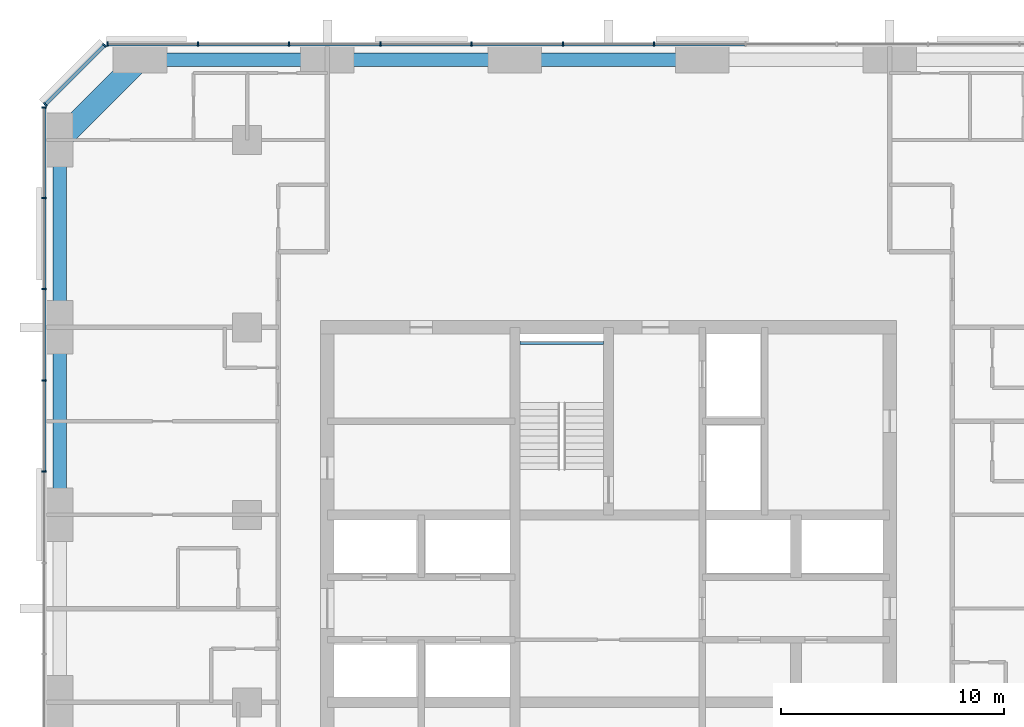
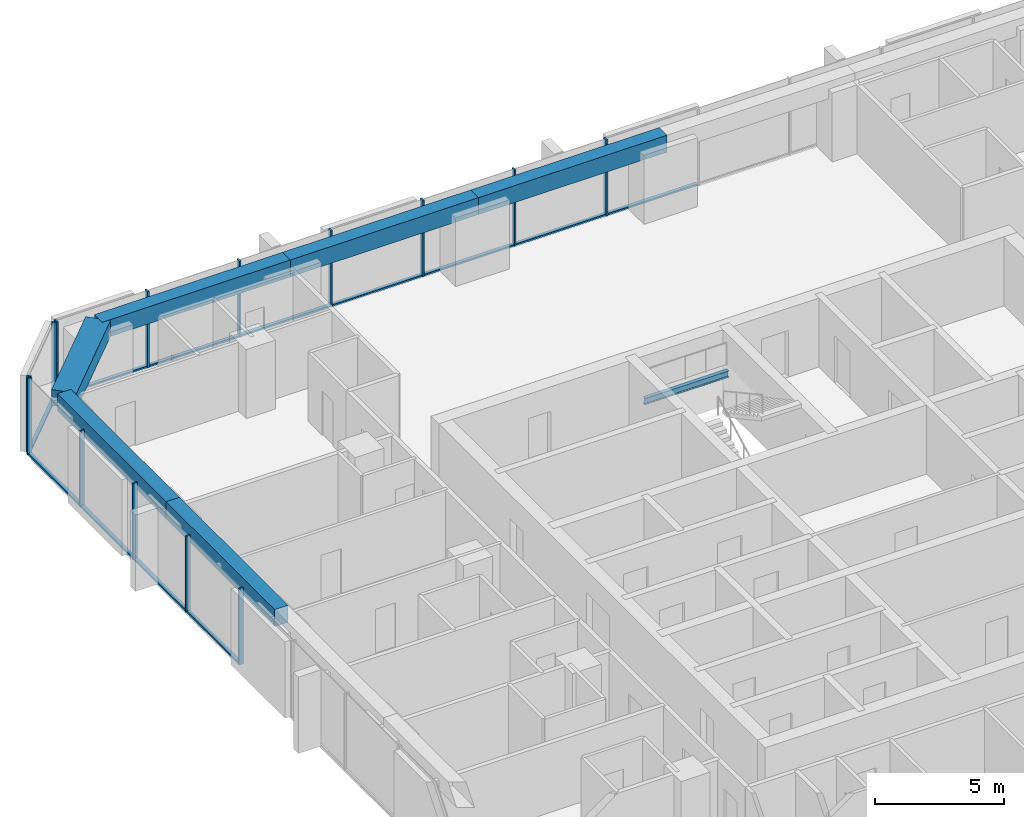
# One storey, part 5 of 13: 26 members, 7 beams, 3 elements without a shape of their own.
"""IFC4 building model written with IfcOpenShell, lengths in metres."""

from ifc_helpers import new_model, si_unit, direction, frame, origin, origin_2d, place, context, subcontext, project, spatial, rectangle, i_section, extrude, material, material_profile, profile_set, type_object, element, aggregate, save


model = new_model("IFC4")

# Units and contexts
model_context = context("Model", 3, precision=1e-05, world=origin(), true_north=direction((0.0, 1.0)))
body_context = subcontext(model_context, "Body", "Model", "MODEL_VIEW")
ifc_project = project(units=[si_unit("LENGTHUNIT", "METRE"), si_unit("AREAUNIT", "SQUARE_METRE"), si_unit("VOLUMEUNIT", "CUBIC_METRE"), si_unit("PLANEANGLEUNIT", "RADIAN"), si_unit("MASSUNIT", "GRAM", prefix="KILO")], contexts=[model_context])

# Site, building, storey
site_placement = place(None, origin())
site = spatial("IfcSite", under=ifc_project, at=site_placement, CompositionType="ELEMENT")
building_placement = place(site_placement, origin())
building = spatial("IfcBuilding", under=site, at=building_placement, Name="Dunama Terrace Hotel", CompositionType="ELEMENT")
storey_placement = place(building_placement, frame((0.0, 0.0, 209.39990234375)))
storey = spatial("IfcBuildingStorey", under=building, at=storey_placement, Name="L54", CompositionType="ELEMENT", Elevation=209.39990234375)

# Curtain wall, members
ifc_material_1 = material(Name="Aluminium curtain wall system", Category="aluminium")
curtain_wall_type = type_object("IfcCurtainWallType", Name="Unitised fritted glass wall CW-C", PredefinedType="NOTDEFINED", material=ifc_material_1)
curtain_wall_1_placement = place(storey_placement, origin())
curtain_wall_1 = element("IfcCurtainWall", 1, at=curtain_wall_1_placement, inside=storey, type_object=curtain_wall_type, Name="Unitised fritted glass wall CW-C L54", PredefinedType="NOTDEFINED")
ifc_material_2 = material(Name="Aluminium mullion", Category="aluminium")
ifc_material_profile_1 = material_profile(ifc_material_2, rectangle(XDim=0.070068359375, YDim=0.199951171875, at=origin_2d()), Name="CWC MULLION 70X200")
ifc_profile_set_1 = profile_set([ifc_material_profile_1], Name="Aluminium mullion")
member_type_1 = type_object("IfcMemberType", Name="CWC mullion 70x200", PredefinedType="MULLION", material=ifc_profile_set_1)
member_1_placement = place(storey_placement, frame((31.445068359375, 54.699951171875, 0.0), z_axis=(0.0, 0.0, 1.0), x_axis=(-1.0, 0.0, 0.0)))
member_1 = element("IfcMember", 2, at=member_1_placement, type_object=member_type_1, Name="CWC mullion", PredefinedType="MULLION", context=body_context, shape_type="SweptSolid", body=[
    extrude(rectangle(XDim=0.070068359375, YDim=0.199951171875, at=origin_2d()), origin(), (0.0, 0.0, 1.0), 3.60009765625),
])
member_2_placement = place(storey_placement, frame((27.35498046875, 54.699951171875, 0.0), z_axis=(0.0, 0.0, 1.0), x_axis=(-1.0, 0.0, 0.0)))
member_2 = element("IfcMember", 3, at=member_2_placement, type_object=member_type_1, Name="CWC mullion", PredefinedType="MULLION", context=body_context, shape_type="SweptSolid", body=[
    extrude(rectangle(XDim=0.070068359375, YDim=0.199951171875, at=origin_2d()), origin(), (0.0, 0.0, 1.0), 3.60009765625),
])
member_3_placement = place(storey_placement, frame((23.263916015625, 54.699951171875, 0.0), z_axis=(0.0, 0.0, 1.0), x_axis=(-1.0, 0.0, 0.0)))
member_3 = element("IfcMember", 4, at=member_3_placement, type_object=member_type_1, Name="CWC mullion", PredefinedType="MULLION", context=body_context, shape_type="SweptSolid", body=[
    extrude(rectangle(XDim=0.070068359375, YDim=0.199951171875, at=origin_2d()), origin(), (0.0, 0.0, 1.0), 3.60009765625),
])
member_4_placement = place(storey_placement, frame((19.173095703125, 54.699951171875, 0.0), z_axis=(0.0, 0.0, 1.0), x_axis=(-1.0, 0.0, 0.0)))
member_4 = element("IfcMember", 5, at=member_4_placement, type_object=member_type_1, Name="CWC mullion", PredefinedType="MULLION", context=body_context, shape_type="SweptSolid", body=[
    extrude(rectangle(XDim=0.070068359375, YDim=0.199951171875, at=origin_2d()), origin(), (0.0, 0.0, 1.0), 3.60009765625),
])
member_5_placement = place(storey_placement, frame((15.08203125, 54.699951171875, 0.0), z_axis=(0.0, 0.0, 1.0), x_axis=(-1.0, 0.0, 0.0)))
member_5 = element("IfcMember", 6, at=member_5_placement, type_object=member_type_1, Name="CWC mullion", PredefinedType="MULLION", context=body_context, shape_type="SweptSolid", body=[
    extrude(rectangle(XDim=0.070068359375, YDim=0.199951171875, at=origin_2d()), origin(), (0.0, 0.0, 1.0), 3.60009765625),
])
member_6_placement = place(storey_placement, frame((10.990966796875, 54.699951171875, 0.0), z_axis=(0.0, 0.0, 1.0), x_axis=(-1.0, 0.0, 0.0)))
member_6 = element("IfcMember", 7, at=member_6_placement, type_object=member_type_1, Name="CWC mullion", PredefinedType="MULLION", context=body_context, shape_type="SweptSolid", body=[
    extrude(rectangle(XDim=0.070068359375, YDim=0.199951171875, at=origin_2d()), origin(), (0.0, 0.0, 1.0), 3.60009765625),
])
member_7_placement = place(storey_placement, frame((6.93505859375, 54.699951171875, 0.0), z_axis=(0.0, 0.0, 1.0), x_axis=(-1.0, 0.0, 0.0)))
member_7 = element("IfcMember", 8, at=member_7_placement, type_object=member_type_1, Name="CWC mullion", PredefinedType="MULLION", context=body_context, shape_type="SweptSolid", body=[
    extrude(rectangle(XDim=0.070068359375, YDim=0.199951171875, at=origin_2d()), origin(), (0.0, 0.0, 1.0), 3.60009765625),
])

curtain_wall_2_placement = place(storey_placement, origin())
curtain_wall_2 = element("IfcCurtainWall", 9, at=curtain_wall_2_placement, inside=storey, type_object=curtain_wall_type, Name="Unitised fritted glass wall CW-C L54", PredefinedType="NOTDEFINED")
member_8_placement = place(storey_placement, frame((6.804931640625, 54.64599609375, 0.0), z_axis=(0.0, 0.0, 1.0), x_axis=(-0.707106781187, -0.707106781187, 0.0)))
member_8 = element("IfcMember", 10, at=member_8_placement, type_object=member_type_1, Name="CWC mullion", PredefinedType="MULLION", context=body_context, shape_type="SweptSolid", body=[
    extrude(rectangle(XDim=0.070068359375, YDim=0.199951171875, at=origin_2d()), origin(), (0.0, 0.0, 1.0), 3.60009765625),
])
member_9_placement = place(storey_placement, frame((4.154052734375, 51.9951171875, 0.0), z_axis=(0.0, 0.0, 1.0), x_axis=(-0.707106781187, -0.707106781187, 0.0)))
member_9 = element("IfcMember", 11, at=member_9_placement, type_object=member_type_1, Name="CWC mullion", PredefinedType="MULLION", context=body_context, shape_type="SweptSolid", body=[
    extrude(rectangle(XDim=0.070068359375, YDim=0.199951171875, at=origin_2d()), origin(), (0.0, 0.0, 1.0), 3.60009765625),
])

curtain_wall_3_placement = place(storey_placement, origin())
curtain_wall_3 = element("IfcCurtainWall", 12, at=curtain_wall_3_placement, inside=storey, type_object=curtain_wall_type, Name="Unitised fritted glass wall CW-C L54", PredefinedType="NOTDEFINED")
member_10_placement = place(storey_placement, frame((4.10009765625, 51.864990234375, 0.0), z_axis=(0.0, 0.0, 1.0), x_axis=(0.0, -1.0, 0.0)))
member_10 = element("IfcMember", 13, at=member_10_placement, type_object=member_type_1, Name="CWC mullion", PredefinedType="MULLION", context=body_context, shape_type="SweptSolid", body=[
    extrude(rectangle(XDim=0.070068359375, YDim=0.199951171875, at=origin_2d()), origin(), (0.0, 0.0, 1.0), 3.60009765625),
])
member_11_placement = place(storey_placement, frame((4.10009765625, 47.80908203125, 0.0), z_axis=(0.0, 0.0, 1.0), x_axis=(0.0, -1.0, 0.0)))
member_11 = element("IfcMember", 14, at=member_11_placement, type_object=member_type_1, Name="CWC mullion", PredefinedType="MULLION", context=body_context, shape_type="SweptSolid", body=[
    extrude(rectangle(XDim=0.070068359375, YDim=0.199951171875, at=origin_2d()), origin(), (0.0, 0.0, 1.0), 3.60009765625),
])
member_12_placement = place(storey_placement, frame((4.10009765625, 43.718017578125, 0.0), z_axis=(0.0, 0.0, 1.0), x_axis=(0.0, -1.0, 0.0)))
member_12 = element("IfcMember", 15, at=member_12_placement, type_object=member_type_1, Name="CWC mullion", PredefinedType="MULLION", context=body_context, shape_type="SweptSolid", body=[
    extrude(rectangle(XDim=0.070068359375, YDim=0.199951171875, at=origin_2d()), origin(), (0.0, 0.0, 1.0), 3.60009765625),
])
member_13_placement = place(storey_placement, frame((4.10009765625, 39.626953125, 0.0), z_axis=(0.0, 0.0, 1.0), x_axis=(0.0, -1.0, 0.0)))
member_13 = element("IfcMember", 16, at=member_13_placement, type_object=member_type_1, Name="CWC mullion", PredefinedType="MULLION", context=body_context, shape_type="SweptSolid", body=[
    extrude(rectangle(XDim=0.070068359375, YDim=0.199951171875, at=origin_2d()), origin(), (0.0, 0.0, 1.0), 3.60009765625),
])
member_14_placement = place(storey_placement, frame((4.10009765625, 35.535888671875, 0.0), z_axis=(0.0, 0.0, 1.0), x_axis=(0.0, -1.0, 0.0)))
member_14 = element("IfcMember", 17, at=member_14_placement, type_object=member_type_1, Name="CWC mullion", PredefinedType="MULLION", context=body_context, shape_type="SweptSolid", body=[
    extrude(rectangle(XDim=0.070068359375, YDim=0.199951171875, at=origin_2d()), origin(), (0.0, 0.0, 1.0), 3.60009765625),
])

# Member
ifc_material_3 = material(Name="Aluminium transom", Category="aluminium")
ifc_material_profile_2 = material_profile(ifc_material_3, rectangle(XDim=0.159912109375, YDim=0.080078125, at=origin_2d()), Name="CWC TRANSOM 160X80")
ifc_profile_set_2 = profile_set([ifc_material_profile_2], Name="Aluminium transom")
member_type_2 = type_object("IfcMemberType", Name="CWC transom 160x80", PredefinedType="USERDEFINED", material=ifc_profile_set_2)
member_15_placement = place(storey_placement, frame((35.5009765625, 54.699951171875, 0.0400390625), z_axis=(-1.0, 0.0, 0.0), x_axis=(0.0, -1.0, 0.0)))
member_15 = element("IfcMember", 18, at=member_15_placement, type_object=member_type_2, Name="CWC transom", ObjectType="TRANSOM", PredefinedType="USERDEFINED", context=body_context, shape_type="SweptSolid", body=[
    extrude(rectangle(XDim=0.159912109375, YDim=0.080078125, at=origin_2d()), origin(), (0.0, 0.0, 1.0), 4.02099609375),
])

member_16_placement = place(storey_placement, frame((31.409912109375, 54.699951171875, 0.0400390625), z_axis=(-1.0, 0.0, 0.0), x_axis=(0.0, -1.0, 0.0)))
member_16 = element("IfcMember", 19, at=member_16_placement, type_object=member_type_2, Name="CWC transom", ObjectType="TRANSOM", PredefinedType="USERDEFINED", context=body_context, shape_type="SweptSolid", body=[
    extrude(rectangle(XDim=0.159912109375, YDim=0.080078125, at=origin_2d()), origin(), (0.0, 0.0, 1.0), 4.02001953125),
])

member_17_placement = place(storey_placement, frame((27.320068359375, 54.699951171875, 0.0400390625), z_axis=(-1.0, 0.0, 0.0), x_axis=(0.0, -1.0, 0.0)))
member_17 = element("IfcMember", 20, at=member_17_placement, type_object=member_type_2, Name="CWC transom", ObjectType="TRANSOM", PredefinedType="USERDEFINED", context=body_context, shape_type="SweptSolid", body=[
    extrude(rectangle(XDim=0.159912109375, YDim=0.080078125, at=origin_2d()), origin(), (0.0, 0.0, 1.0), 4.02099609375),
])

member_18_placement = place(storey_placement, frame((23.22900390625, 54.699951171875, 0.0400390625), z_axis=(-1.0, 0.0, 0.0), x_axis=(0.0, -1.0, 0.0)))
member_18 = element("IfcMember", 21, at=member_18_placement, type_object=member_type_2, Name="CWC transom", ObjectType="TRANSOM", PredefinedType="USERDEFINED", context=body_context, shape_type="SweptSolid", body=[
    extrude(rectangle(XDim=0.159912109375, YDim=0.080078125, at=origin_2d()), origin(), (0.0, 0.0, 1.0), 4.02099609375),
])

member_19_placement = place(storey_placement, frame((19.137939453125, 54.699951171875, 0.0400390625), z_axis=(-1.0, 0.0, 0.0), x_axis=(0.0, -1.0, 0.0)))
member_19 = element("IfcMember", 22, at=member_19_placement, type_object=member_type_2, Name="CWC transom", ObjectType="TRANSOM", PredefinedType="USERDEFINED", context=body_context, shape_type="SweptSolid", body=[
    extrude(rectangle(XDim=0.159912109375, YDim=0.080078125, at=origin_2d()), origin(), (0.0, 0.0, 1.0), 4.02099609375),
])

member_20_placement = place(storey_placement, frame((15.047119140625, 54.699951171875, 0.0400390625), z_axis=(-1.0, 0.0, 0.0), x_axis=(0.0, -1.0, 0.0)))
member_20 = element("IfcMember", 23, at=member_20_placement, type_object=member_type_2, Name="CWC transom", ObjectType="TRANSOM", PredefinedType="USERDEFINED", context=body_context, shape_type="SweptSolid", body=[
    extrude(rectangle(XDim=0.159912109375, YDim=0.080078125, at=origin_2d()), origin(), (0.0, 0.0, 1.0), 4.021240234375),
])

member_21_placement = place(storey_placement, frame((10.9560546875, 54.699951171875, 0.0400390625), z_axis=(-1.0, 0.0, 0.0), x_axis=(0.0, -1.0, 0.0)))
member_21 = element("IfcMember", 24, at=member_21_placement, type_object=member_type_2, Name="CWC transom", ObjectType="TRANSOM", PredefinedType="USERDEFINED", context=body_context, shape_type="SweptSolid", body=[
    extrude(rectangle(XDim=0.159912109375, YDim=0.080078125, at=origin_2d()), origin(), (0.0, 0.0, 1.0), 3.986083984375),
])

aggregate(curtain_wall_1, [member_1, member_2, member_3, member_4, member_5, member_6, member_7, member_15, member_16, member_17, member_18, member_19, member_20, member_21])

member_22_placement = place(storey_placement, frame((6.780029296875, 54.62109375, 0.0400390625), z_axis=(-0.707106781187, -0.707106781187, 0.0), x_axis=(0.707106781187, -0.707106781187, 0.0)))
member_22 = element("IfcMember", 25, at=member_22_placement, type_object=member_type_2, Name="CWC transom", ObjectType="TRANSOM", PredefinedType="USERDEFINED", context=body_context, shape_type="SweptSolid", body=[
    extrude(rectangle(XDim=0.159912109375, YDim=0.080078125, at=origin_2d()), origin(), (0.0, 0.0, 1.0), 3.678466796875),
])

aggregate(curtain_wall_2, [member_8, member_9, member_22])

member_23_placement = place(storey_placement, frame((4.10009765625, 51.830078125, 0.0400390625), z_axis=(0.0, -1.0, 0.0), x_axis=(1.0, 0.0, 0.0)))
member_23 = element("IfcMember", 26, at=member_23_placement, type_object=member_type_2, Name="CWC transom", ObjectType="TRANSOM", PredefinedType="USERDEFINED", context=body_context, shape_type="SweptSolid", body=[
    extrude(rectangle(XDim=0.159912109375, YDim=0.080078125, at=origin_2d()), origin(), (0.0, 0.0, 1.0), 3.986083984375),
])

member_24_placement = place(storey_placement, frame((4.10009765625, 47.77392578125, 0.0400390625), z_axis=(0.0, -1.0, 0.0), x_axis=(1.0, 0.0, 0.0)))
member_24 = element("IfcMember", 27, at=member_24_placement, type_object=member_type_2, Name="CWC transom", ObjectType="TRANSOM", PredefinedType="USERDEFINED", context=body_context, shape_type="SweptSolid", body=[
    extrude(rectangle(XDim=0.159912109375, YDim=0.080078125, at=origin_2d()), origin(), (0.0, 0.0, 1.0), 4.02099609375),
])

member_25_placement = place(storey_placement, frame((4.10009765625, 43.68310546875, 0.0400390625), z_axis=(0.0, -1.0, 0.0), x_axis=(1.0, 0.0, 0.0)))
member_25 = element("IfcMember", 28, at=member_25_placement, type_object=member_type_2, Name="CWC transom", ObjectType="TRANSOM", PredefinedType="USERDEFINED", context=body_context, shape_type="SweptSolid", body=[
    extrude(rectangle(XDim=0.159912109375, YDim=0.080078125, at=origin_2d()), origin(), (0.0, 0.0, 1.0), 4.02099609375),
])

member_26_placement = place(storey_placement, frame((4.10009765625, 39.592041015625, 0.0400390625), z_axis=(0.0, -1.0, 0.0), x_axis=(1.0, 0.0, 0.0)))
member_26 = element("IfcMember", 29, at=member_26_placement, type_object=member_type_2, Name="CWC transom", ObjectType="TRANSOM", PredefinedType="USERDEFINED", context=body_context, shape_type="SweptSolid", body=[
    extrude(rectangle(XDim=0.159912109375, YDim=0.080078125, at=origin_2d()), origin(), (0.0, 0.0, 1.0), 4.02099609375),
])

aggregate(curtain_wall_3, [member_10, member_11, member_12, member_13, member_14, member_23, member_24, member_25, member_26])

# Beams
ifc_material_4 = material(Name="Concrete C50/60", Category="concrete")
ifc_material_profile_3 = material_profile(ifc_material_4, rectangle(XDim=1.0, YDim=0.75, at=origin_2d()), Name="RC 1000x750")
ifc_profile_set_3 = profile_set([ifc_material_profile_3], Name="Concrete C50/60")
beam_type_1 = type_object("IfcBeamType", Name="Edge beam RC 1000x750", PredefinedType="SPANDREL", material=ifc_profile_set_3)
beam_1_placement = place(storey_placement, frame((8.39990234375, 54.0, 3.22509765625), z_axis=(-0.707082803744, -0.707130757816, 0.0), x_axis=(0.707130757816, -0.707082803744, 0.0)))
element("IfcBeam", 30, at=beam_1_placement, inside=storey, type_object=beam_type_1, Name="Corner edge beam under L55", PredefinedType="SPANDREL", context=body_context, shape_type="SweptSolid", body=[
    extrude(rectangle(XDim=1.0, YDim=0.75, at=origin_2d()), origin(), (0.0, 0.0, 1.0), 5.091064453125),
])
ifc_material_5 = material(Name="Concrete C40/50", Category="concrete")
ifc_material_profile_4 = material_profile(ifc_material_5, rectangle(XDim=0.60009765625, YDim=0.800048828125, at=origin_2d()), Name="RC 600x800")
ifc_profile_set_4 = profile_set([ifc_material_profile_4], Name="Concrete C40/50")
beam_type_2 = type_object("IfcBeamType", Name="Edge beam RC 600x800", PredefinedType="SPANDREL", material=ifc_profile_set_4)
for number, where, z_axis, x_axis, name in (
    (31, (4.800048828125, 33.60009765625, 3.2001953125), (0.0, 1.0, 0.0), (-1.0, 0.0, 0.0), "Edge beam under L55"),
    (32, (4.800048828125, 42.0, 3.2001953125), (0.0, 1.0, 0.0), (-1.0, 0.0, 0.0), "Edge beam under L55"),
):
    element("IfcBeam", number, at=place(storey_placement, frame(where, z_axis=z_axis, x_axis=x_axis)), inside=storey, type_object=beam_type_2, Name=name, PredefinedType="SPANDREL", context=body_context, shape_type="SweptSolid", body=[
        extrude(rectangle(XDim=0.60009765625, YDim=0.800048828125, at=origin_2d()), origin(), (0.0, 0.0, 1.0), 8.39990234375),
    ])
beam_2_placement = place(storey_placement, frame((8.39990234375, 54.0, 3.2001953125), z_axis=(1.0, 0.0, 0.0), x_axis=(0.0, 1.0, 0.0)))
element("IfcBeam", 33, at=beam_2_placement, inside=storey, type_object=beam_type_2, Name="Edge beam under L55", PredefinedType="SPANDREL", context=body_context, shape_type="SweptSolid", body=[
    extrude(rectangle(XDim=0.60009765625, YDim=0.800048828125, at=origin_2d()), origin(), (0.0, 0.0, 1.0), 8.400146484375),
])
beam_3_placement = place(storey_placement, frame((16.800048828125, 54.0, 3.2001953125), z_axis=(1.0, 0.0, 0.0), x_axis=(0.0, 1.0, 0.0)))
element("IfcBeam", 34, at=beam_3_placement, inside=storey, type_object=beam_type_2, Name="Edge beam under L55", PredefinedType="SPANDREL", context=body_context, shape_type="SweptSolid", body=[
    extrude(rectangle(XDim=0.60009765625, YDim=0.800048828125, at=origin_2d()), origin(), (0.0, 0.0, 1.0), 8.39990234375),
])
beam_4_placement = place(storey_placement, frame((25.199951171875, 54.0, 3.2001953125), z_axis=(1.0, 0.0, 0.0), x_axis=(0.0, 1.0, 0.0)))
element("IfcBeam", 35, at=beam_4_placement, inside=storey, type_object=beam_type_2, Name="Edge beam under L55", PredefinedType="SPANDREL", context=body_context, shape_type="SweptSolid", body=[
    extrude(rectangle(XDim=0.60009765625, YDim=0.800048828125, at=origin_2d()), origin(), (0.0, 0.0, 1.0), 8.400146484375),
])
ifc_material_6 = material(Name="Steel S355", Category="steel")
ifc_material_profile_5 = material_profile(ifc_material_6, i_section(OverallWidth=0.1650390625, OverallDepth=0.303466796875, WebThickness=0.006103515625, FlangeThickness=0.01025390625, FilletRadius=0.0087890625, at=origin_2d()), Name="UB 305x165x40")
ifc_profile_set_5 = profile_set([ifc_material_profile_5], Name="Steel S355")
beam_type_3 = type_object("IfcBeamType", Name="Stair beam UB 305x165x40", PredefinedType="BEAM", material=ifc_profile_set_5)
beam_5_placement = place(storey_placement, frame((25.425048828125, 41.3173828125, 1.448486328125), z_axis=(1.0, 0.0, 0.0), x_axis=(0.0, 1.0, 0.0)))
element("IfcBeam", 36, at=beam_5_placement, inside=storey, type_object=beam_type_3, Name="Stair landing beam ST1 L54", PredefinedType="BEAM", context=body_context, shape_type="SweptSolid", body=[
    extrude(i_section(OverallWidth=0.1650390625, OverallDepth=0.303466796875, WebThickness=0.006103515625, FlangeThickness=0.01025390625, FilletRadius=0.0087890625, at=origin_2d()), origin(), (0.0, 0.0, 1.0), 3.75),
])

save(model, "model.ifc")
